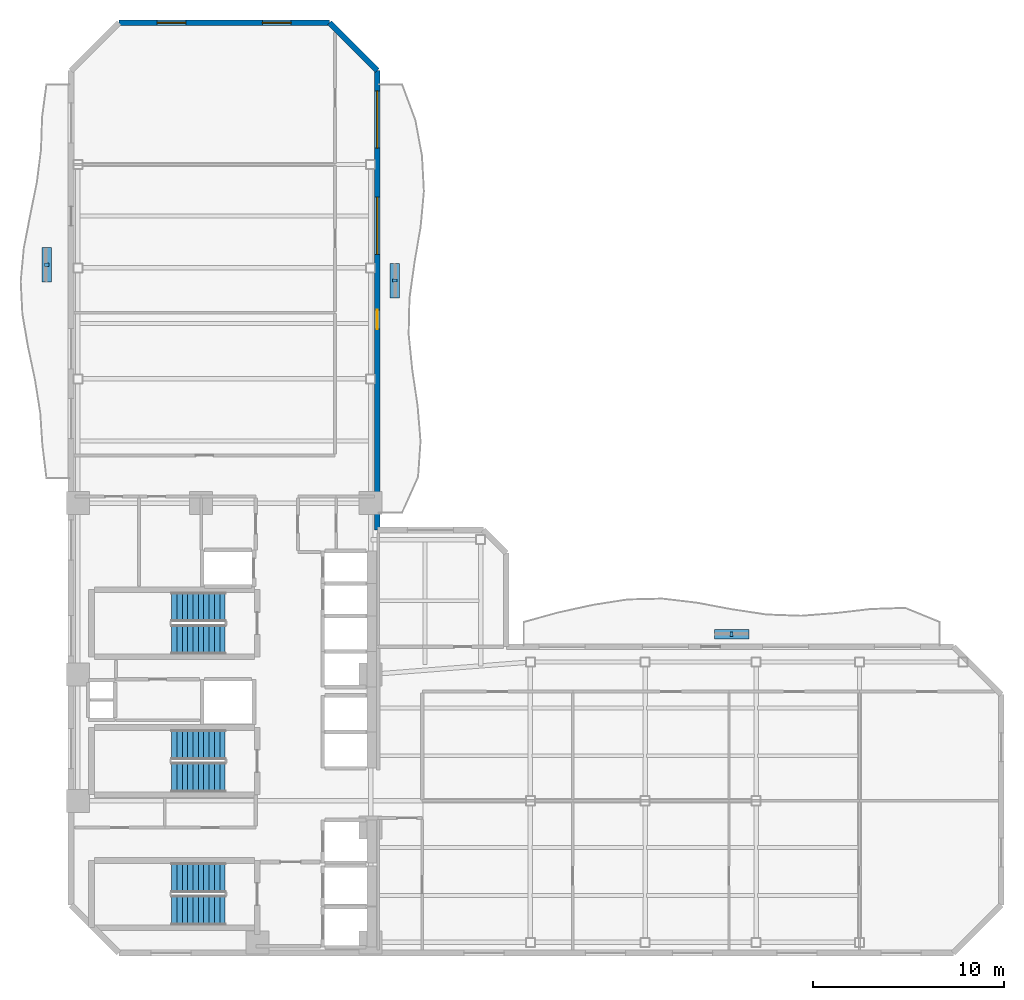
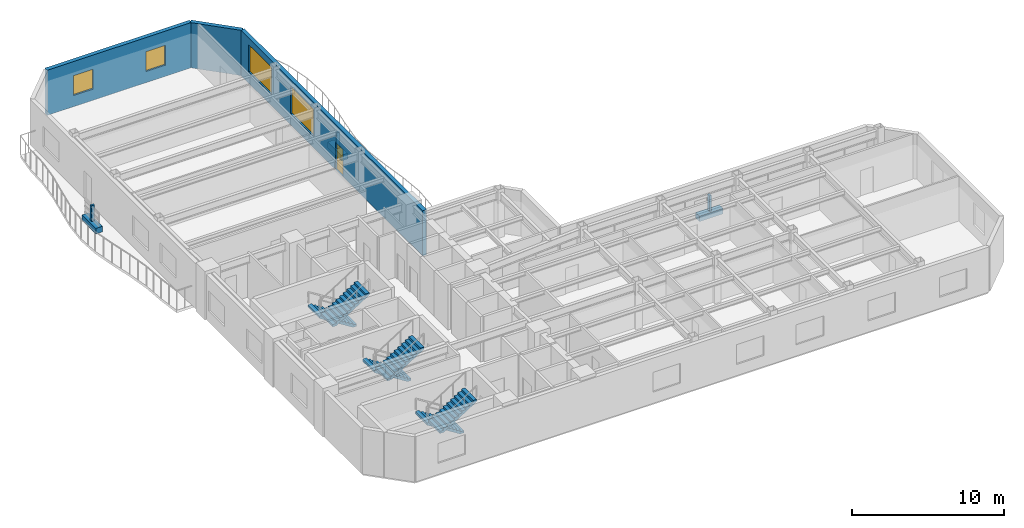
# One storey, part 6 of 9: 6 discrete accessories, 6 stair flights, 4 windows, 3 walls, 1 door, 5 openings, 3 elements without a shape of their own.
"""IFC4 building model written with IfcOpenShell, lengths in metres."""

from ifc_helpers import new_model, si_unit, direction, frame, frame_2d, origin, origin_2d, place, context, subcontext, project, spatial, polyline, rectangle, outline, extrude, material, layer, layer_set, type_object, element, fill, aggregate, save


model = new_model("IFC4")

# Units and contexts
model_context = context("Model", 3, precision=1e-05, world=origin(), true_north=direction((0.0, 1.0)))
body_context = subcontext(model_context, "Body", "Model", "MODEL_VIEW")
ifc_project = project(units=[si_unit("LENGTHUNIT", "METRE"), si_unit("AREAUNIT", "SQUARE_METRE"), si_unit("VOLUMEUNIT", "CUBIC_METRE"), si_unit("PLANEANGLEUNIT", "RADIAN"), si_unit("MASSUNIT", "GRAM", prefix="KILO")], contexts=[model_context])

# Site, building, storey
site_placement = place(None, origin())
site = spatial("IfcSite", under=ifc_project, at=site_placement, CompositionType="ELEMENT")
building_placement = place(site_placement, origin())
building = spatial("IfcBuilding", under=site, at=building_placement, Name="Mawjaban Terraces University", CompositionType="ELEMENT")
storey_placement = place(building_placement, frame((0.0, 0.0, 161.89990234375)))
storey = spatial("IfcBuildingStorey", under=building, at=storey_placement, Name="L39", CompositionType="ELEMENT", Elevation=161.89990234375)

# Wall, openings, door, windows
ifc_material_1 = material(Name="Insulated terracotta rainscreen on concrete backup C40/50", Category="masonry")
ifc_layer = layer(ifc_material_1, 0.300048828125)
ifc_layer_set = layer_set([ifc_layer], Name="Insulated terracotta rainscreen on concrete backup C40/50")
wall_type = type_object("IfcWallType", Name="ExtTerracottaWall_300", PredefinedType="SOLIDWALL", material=ifc_layer_set)
wall_1_placement = place(storey_placement, frame((38.0, 22.10009765625, 0.0), z_axis=(0.0, 0.0, 1.0), x_axis=(0.0, 1.0, 0.0)))
wall_1 = element("IfcWall", 1, at=wall_1_placement, inside=storey, type_object=wall_type, Name="L39 Exterior Terracotta Wall 9", PredefinedType="SOLIDWALL", context=body_context, shape_type="SweptSolid", body=[
    extrude(rectangle(XDim=24.0, YDim=0.300048828125, at=frame_2d((12.0, 0.0))), origin(), (0.0, 0.0, 1.0), 3.64013671875),
])
opening_1_placement = place(wall_1_placement, frame((10.5, 0.0, 0.0)))
opening_1 = element("IfcOpeningElement", 2, at=opening_1_placement, cuts=wall_1, Name="Opening BD-100", PredefinedType="OPENING", context=body_context, shape_type="SweptSolid", body=[
    extrude(rectangle(XDim=1.0, YDim=2.199951171875, at=frame_2d((0.5, 1.10009765625))), frame((0.0, 0.159912109375, 0.0), z_axis=(0.0, -1.0, 0.0), x_axis=(1.0, 0.0, 0.0)), (0.0, 0.0, 1.0), 0.320068359375),
])
opening_2_placement = place(wall_1_placement, frame((14.39990234375, 0.0, 0.89990234375)))
opening_2 = element("IfcOpeningElement", 3, at=opening_2_placement, cuts=wall_1, Name="Opening W-12", PredefinedType="OPENING", context=body_context, shape_type="SweptSolid", body=[
    extrude(rectangle(XDim=3.0, YDim=2.199951171875, at=frame_2d((1.5, 1.10009765625))), frame((0.0, 0.159912109375, 0.0), z_axis=(0.0, -1.0, 0.0), x_axis=(1.0, 0.0, 0.0)), (0.0, 0.0, 1.0), 0.320068359375),
])
opening_3_placement = place(wall_1_placement, frame((19.949951171875, 0.0, 0.89990234375)))
opening_3 = element("IfcOpeningElement", 4, at=opening_3_placement, cuts=wall_1, Name="Opening W-12", PredefinedType="OPENING", context=body_context, shape_type="SweptSolid", body=[
    extrude(rectangle(XDim=3.0, YDim=2.199951171875, at=frame_2d((1.5, 1.10009765625))), frame((0.0, 0.159912109375, 0.0), z_axis=(0.0, -1.0, 0.0), x_axis=(1.0, 0.0, 0.0)), (0.0, 0.0, 1.0), 0.320068359375),
])
ifc_material_2 = material(Name="Thermally broken anodised aluminium and laminated safety glass", Category="aluminium")
door_type = type_object("IfcDoorType", Name="BalconyGlazedDoor_1000x2200", OperationType="NOTDEFINED", PredefinedType="DOOR", material=ifc_material_2)
door_placement = place(opening_1_placement, origin())
door = element("IfcDoor", 5, at=door_placement, inside=storey, type_object=door_type, Name="L39 Balcony Access Door inner_east", OperationType="SINGLE_SWING_RIGHT", OverallHeight=2.199951171875, OverallWidth=1.0, PredefinedType="DOOR", context=body_context, shape_type="SweptSolid", body=[
    extrude(rectangle(XDim=1.0, YDim=2.199951171875, at=frame_2d((0.5, 1.10009765625))), frame((0.0, 0.02490234375, 0.0), z_axis=(0.0, -1.0, 0.0), x_axis=(1.0, 0.0, 0.0)), (0.0, 0.0, 1.0), 0.050048828125),
])
fill(opening_1, door)
ifc_material_3 = material(Name="Low-E solar-control double glazing in thermally broken aluminium frame", Category="aluminium")
window_type_1 = type_object("IfcWindowType", Name="Win_3000x2200", PartitioningType="SINGLE_PANEL", PredefinedType="WINDOW", material=ifc_material_3)
window_1_placement = place(opening_2_placement, origin())
window_1 = element("IfcWindow", 6, at=window_1_placement, inside=storey, type_object=window_type_1, Name="L39 Facade Window 9.3", OverallHeight=2.199951171875, OverallWidth=3.0, PartitioningType="SINGLE_PANEL", PredefinedType="WINDOW", context=body_context, shape_type="SweptSolid", body=[
    extrude(rectangle(XDim=3.0, YDim=2.199951171875, at=frame_2d((1.5, 1.10009765625))), frame((0.0, 0.030029296875, 0.0), z_axis=(0.0, -1.0, 0.0), x_axis=(1.0, 0.0, 0.0)), (0.0, 0.0, 1.0), 0.06005859375),
])
fill(opening_2, window_1)
window_2_placement = place(opening_3_placement, origin())
window_2 = element("IfcWindow", 7, at=window_2_placement, inside=storey, type_object=window_type_1, Name="L39 Facade Window 9.4", OverallHeight=2.199951171875, OverallWidth=3.0, PartitioningType="SINGLE_PANEL", PredefinedType="WINDOW", context=body_context, shape_type="SweptSolid", body=[
    extrude(rectangle(XDim=3.0, YDim=2.199951171875, at=frame_2d((1.5, 1.10009765625))), frame((0.0, 0.030029296875, 0.0), z_axis=(0.0, -1.0, 0.0), x_axis=(1.0, 0.0, 0.0)), (0.0, 0.0, 1.0), 0.06005859375),
])
fill(opening_3, window_2)

# Wall
wall_2_placement = place(storey_placement, frame((38.0, 46.10009765625, 0.0), z_axis=(0.0, 0.0, 1.0), x_axis=(-0.707106781187, 0.707106781187, 0.0)))
element("IfcWall", 8, at=wall_2_placement, inside=storey, type_object=wall_type, Name="L39 Exterior Terracotta Wall 10", PredefinedType="SOLIDWALL", context=body_context, shape_type="SweptSolid", body=[
    extrude(rectangle(XDim=3.53564453125, YDim=0.300048828125, at=frame_2d((1.767822265625, 0.0))), origin(), (0.0, 0.0, 1.0), 3.64013671875),
])

# Wall, openings, windows
wall_3_placement = place(storey_placement, frame((35.5, 48.60009765625, 0.0), z_axis=(0.0, 0.0, 1.0), x_axis=(-1.0, 0.0, 0.0)))
wall_3 = element("IfcWall", 9, at=wall_3_placement, inside=storey, type_object=wall_type, Name="L39 Exterior Terracotta Wall 11", PredefinedType="SOLIDWALL", context=body_context, shape_type="SweptSolid", body=[
    extrude(rectangle(XDim=11.0, YDim=0.300048828125, at=frame_2d((5.5, 0.0))), origin(), (0.0, 0.0, 1.0), 3.64013671875),
])
opening_4_placement = place(wall_3_placement, frame((2.0, 0.0, 0.89990234375)))
opening_4 = element("IfcOpeningElement", 10, at=opening_4_placement, cuts=wall_3, Name="Opening W-02", PredefinedType="OPENING", context=body_context, shape_type="SweptSolid", body=[
    extrude(rectangle(XDim=1.5, YDim=1.60009765625, at=frame_2d((0.75, 0.800048828125))), frame((0.0, 0.159912109375, 0.0), z_axis=(0.0, -1.0, 0.0), x_axis=(1.0, 0.0, 0.0)), (0.0, 0.0, 1.0), 0.320068359375),
])
opening_5_placement = place(wall_3_placement, frame((7.5, 0.0, 0.89990234375)))
opening_5 = element("IfcOpeningElement", 11, at=opening_5_placement, cuts=wall_3, Name="Opening W-02", PredefinedType="OPENING", context=body_context, shape_type="SweptSolid", body=[
    extrude(rectangle(XDim=1.5, YDim=1.60009765625, at=frame_2d((0.75, 0.800048828125))), frame((0.0, 0.159912109375, 0.0), z_axis=(0.0, -1.0, 0.0), x_axis=(1.0, 0.0, 0.0)), (0.0, 0.0, 1.0), 0.320068359375),
])
window_type_2 = type_object("IfcWindowType", Name="Win_1500x1600", PartitioningType="SINGLE_PANEL", PredefinedType="WINDOW", material=ifc_material_3)
window_3_placement = place(opening_4_placement, origin())
window_3 = element("IfcWindow", 12, at=window_3_placement, inside=storey, type_object=window_type_2, Name="L39 Facade Window 11.1", OverallHeight=1.60009765625, OverallWidth=1.5, PartitioningType="SINGLE_PANEL", PredefinedType="WINDOW", context=body_context, shape_type="SweptSolid", body=[
    extrude(rectangle(XDim=1.5, YDim=1.60009765625, at=frame_2d((0.75, 0.800048828125))), frame((0.0, 0.030029296875, 0.0), z_axis=(0.0, -1.0, 0.0), x_axis=(1.0, 0.0, 0.0)), (0.0, 0.0, 1.0), 0.06005859375),
])
fill(opening_4, window_3)
window_4_placement = place(opening_5_placement, origin())
window_4 = element("IfcWindow", 13, at=window_4_placement, inside=storey, type_object=window_type_2, Name="L39 Facade Window 11.2", OverallHeight=1.60009765625, OverallWidth=1.5, PartitioningType="SINGLE_PANEL", PredefinedType="WINDOW", context=body_context, shape_type="SweptSolid", body=[
    extrude(rectangle(XDim=1.5, YDim=1.60009765625, at=frame_2d((0.75, 0.800048828125))), frame((0.0, 0.030029296875, 0.0), z_axis=(0.0, -1.0, 0.0), x_axis=(1.0, 0.0, 0.0)), (0.0, 0.0, 1.0), 0.06005859375),
])
fill(opening_5, window_4)

# Stair, stair flights
ifc_material_4 = material(Name="Concrete C40/50", Category="concrete")
stair_type = type_object("IfcStairType", Name="Stair_Core1550_H39", PredefinedType="HALF_TURN_STAIR", material=ifc_material_4)
stair_1_placement = place(storey_placement, origin())
stair_1 = element("IfcStair", 14, at=stair_1_placement, inside=storey, type_object=stair_type, Name="L39 Core Exit Stair 1", PredefinedType="HALF_TURN_STAIR")
stair_flight_type = type_object("IfcStairFlightType", Name="Flight_Core1550_H39", PredefinedType="STRAIGHT", material=ifc_material_4)
stair_flight_1_placement = place(storey_placement, frame((30.050048828125, 3.925048828125, 0.0), z_axis=(0.0, 0.0, 1.0), x_axis=(-1.0, 0.0, 0.0)))
stair_flight_1 = element("IfcStairFlight", 15, at=stair_flight_1_placement, type_object=stair_flight_type, Name="ST-1 flight 1", NumberOfRisers=11, NumberOfTreads=10, PredefinedType="STRAIGHT", RiserHeight=0.177272727, TreadLength=0.28, context=body_context, shape_type="SweptSolid", body=[
    extrude(outline(polyline([(0.0, 0.0), (0.0, 0.17724609375), (0.280029296875, 0.17724609375), (0.280029296875, 0.3544921875), (0.56005859375, 0.3544921875), (0.56005859375, 0.53173828125), (0.840087890625, 0.53173828125), (0.840087890625, 0.708984375), (1.1201171875, 0.708984375), (1.1201171875, 0.886474609375), (1.39990234375, 0.886474609375), (1.39990234375, 1.063720703125), (1.679931640625, 1.063720703125), (1.679931640625, 1.240966796875), (1.9599609375, 1.240966796875), (1.9599609375, 1.418212890625), (2.239990234375, 1.418212890625), (2.239990234375, 1.595458984375), (2.52001953125, 1.595458984375), (2.52001953125, 1.772705078125), (2.800048828125, 1.772705078125), (2.800048828125, 1.949951171875), (2.800048828125, 1.59521484375), (0.2802734375, 0.0), (0.0, 0.0)])), frame((0.0, 0.77490234375, 0.0), z_axis=(0.0, -1.0, 0.0), x_axis=(1.0, 0.0, 0.0)), (0.0, 0.0, 1.0), 1.550048828125),
])
stair_flight_2_placement = place(storey_placement, frame((27.25, 2.22509765625, 1.9501953125), z_axis=(0.0, 0.0, 1.0), x_axis=(1.0, 0.0, 0.0)))
stair_flight_2 = element("IfcStairFlight", 16, at=stair_flight_2_placement, type_object=stair_flight_type, Name="ST-1 flight 2", NumberOfRisers=11, NumberOfTreads=10, PredefinedType="STRAIGHT", RiserHeight=0.177272727, TreadLength=0.28, context=body_context, shape_type="SweptSolid", body=[
    extrude(outline(polyline([(0.0, 0.0), (0.0, 0.17724609375), (0.280029296875, 0.17724609375), (0.280029296875, 0.3544921875), (0.56005859375, 0.3544921875), (0.56005859375, 0.53173828125), (0.840087890625, 0.53173828125), (0.840087890625, 0.708984375), (1.1201171875, 0.708984375), (1.1201171875, 0.886474609375), (1.39990234375, 0.886474609375), (1.39990234375, 1.063720703125), (1.679931640625, 1.063720703125), (1.679931640625, 1.240966796875), (1.9599609375, 1.240966796875), (1.9599609375, 1.418212890625), (2.239990234375, 1.418212890625), (2.239990234375, 1.595458984375), (2.52001953125, 1.595458984375), (2.52001953125, 1.772705078125), (2.800048828125, 1.772705078125), (2.800048828125, 1.949951171875), (2.800048828125, 1.59521484375), (0.2802734375, 0.0), (0.0, 0.0)])), frame((0.0, 0.77490234375, 0.0), z_axis=(0.0, -1.0, 0.0), x_axis=(1.0, 0.0, 0.0)), (0.0, 0.0, 1.0), 1.550048828125),
])
aggregate(stair_1, [stair_flight_1, stair_flight_2])

stair_2_placement = place(storey_placement, origin())
stair_2 = element("IfcStair", 17, at=stair_2_placement, inside=storey, type_object=stair_type, Name="L39 Core Exit Stair 2", PredefinedType="HALF_TURN_STAIR")
stair_flight_3_placement = place(storey_placement, frame((30.050048828125, 18.074951171875, 0.0), z_axis=(0.0, 0.0, 1.0), x_axis=(-1.0, 0.0, 0.0)))
stair_flight_3 = element("IfcStairFlight", 18, at=stair_flight_3_placement, type_object=stair_flight_type, Name="ST-2 flight 1", NumberOfRisers=11, NumberOfTreads=10, PredefinedType="STRAIGHT", RiserHeight=0.177272727, TreadLength=0.28, context=body_context, shape_type="SweptSolid", body=[
    extrude(outline(polyline([(0.0, 0.0), (0.0, 0.17724609375), (0.280029296875, 0.17724609375), (0.280029296875, 0.3544921875), (0.56005859375, 0.3544921875), (0.56005859375, 0.53173828125), (0.840087890625, 0.53173828125), (0.840087890625, 0.708984375), (1.1201171875, 0.708984375), (1.1201171875, 0.886474609375), (1.39990234375, 0.886474609375), (1.39990234375, 1.063720703125), (1.679931640625, 1.063720703125), (1.679931640625, 1.240966796875), (1.9599609375, 1.240966796875), (1.9599609375, 1.418212890625), (2.239990234375, 1.418212890625), (2.239990234375, 1.595458984375), (2.52001953125, 1.595458984375), (2.52001953125, 1.772705078125), (2.800048828125, 1.772705078125), (2.800048828125, 1.949951171875), (2.800048828125, 1.59521484375), (0.2802734375, 0.0), (0.0, 0.0)])), frame((0.0, 0.77490234375, 0.0), z_axis=(0.0, -1.0, 0.0), x_axis=(1.0, 0.0, 0.0)), (0.0, 0.0, 1.0), 1.550048828125),
])
stair_flight_4_placement = place(storey_placement, frame((27.25, 16.375, 1.9501953125), z_axis=(0.0, 0.0, 1.0), x_axis=(1.0, 0.0, 0.0)))
stair_flight_4 = element("IfcStairFlight", 19, at=stair_flight_4_placement, type_object=stair_flight_type, Name="ST-2 flight 2", NumberOfRisers=11, NumberOfTreads=10, PredefinedType="STRAIGHT", RiserHeight=0.177272727, TreadLength=0.28, context=body_context, shape_type="SweptSolid", body=[
    extrude(outline(polyline([(0.0, 0.0), (0.0, 0.17724609375), (0.280029296875, 0.17724609375), (0.280029296875, 0.3544921875), (0.56005859375, 0.3544921875), (0.56005859375, 0.53173828125), (0.840087890625, 0.53173828125), (0.840087890625, 0.708984375), (1.1201171875, 0.708984375), (1.1201171875, 0.886474609375), (1.39990234375, 0.886474609375), (1.39990234375, 1.063720703125), (1.679931640625, 1.063720703125), (1.679931640625, 1.240966796875), (1.9599609375, 1.240966796875), (1.9599609375, 1.418212890625), (2.239990234375, 1.418212890625), (2.239990234375, 1.595458984375), (2.52001953125, 1.595458984375), (2.52001953125, 1.772705078125), (2.800048828125, 1.772705078125), (2.800048828125, 1.949951171875), (2.800048828125, 1.59521484375), (0.2802734375, 0.0), (0.0, 0.0)])), frame((0.0, 0.77490234375, 0.0), z_axis=(0.0, -1.0, 0.0), x_axis=(1.0, 0.0, 0.0)), (0.0, 0.0, 1.0), 1.550048828125),
])
aggregate(stair_2, [stair_flight_3, stair_flight_4])

stair_3_placement = place(storey_placement, origin())
stair_3 = element("IfcStair", 20, at=stair_3_placement, inside=storey, type_object=stair_type, Name="L39 Core Exit Stair 3", PredefinedType="HALF_TURN_STAIR")
stair_flight_5_placement = place(storey_placement, frame((30.050048828125, 10.875, 0.0), z_axis=(0.0, 0.0, 1.0), x_axis=(-1.0, 0.0, 0.0)))
stair_flight_5 = element("IfcStairFlight", 21, at=stair_flight_5_placement, type_object=stair_flight_type, Name="ST-3 flight 1", NumberOfRisers=11, NumberOfTreads=10, PredefinedType="STRAIGHT", RiserHeight=0.177272727, TreadLength=0.28, context=body_context, shape_type="SweptSolid", body=[
    extrude(outline(polyline([(0.0, 0.0), (0.0, 0.17724609375), (0.280029296875, 0.17724609375), (0.280029296875, 0.3544921875), (0.56005859375, 0.3544921875), (0.56005859375, 0.53173828125), (0.840087890625, 0.53173828125), (0.840087890625, 0.708984375), (1.1201171875, 0.708984375), (1.1201171875, 0.886474609375), (1.39990234375, 0.886474609375), (1.39990234375, 1.063720703125), (1.679931640625, 1.063720703125), (1.679931640625, 1.240966796875), (1.9599609375, 1.240966796875), (1.9599609375, 1.418212890625), (2.239990234375, 1.418212890625), (2.239990234375, 1.595458984375), (2.52001953125, 1.595458984375), (2.52001953125, 1.772705078125), (2.800048828125, 1.772705078125), (2.800048828125, 1.949951171875), (2.800048828125, 1.59521484375), (0.2802734375, 0.0), (0.0, 0.0)])), frame((0.0, 0.77490234375, 0.0), z_axis=(0.0, -1.0, 0.0), x_axis=(1.0, 0.0, 0.0)), (0.0, 0.0, 1.0), 1.550048828125),
])
stair_flight_6_placement = place(storey_placement, frame((27.25, 9.175048828125, 1.9501953125), z_axis=(0.0, 0.0, 1.0), x_axis=(1.0, 0.0, 0.0)))
stair_flight_6 = element("IfcStairFlight", 22, at=stair_flight_6_placement, type_object=stair_flight_type, Name="ST-3 flight 2", NumberOfRisers=11, NumberOfTreads=10, PredefinedType="STRAIGHT", RiserHeight=0.177272727, TreadLength=0.28, context=body_context, shape_type="SweptSolid", body=[
    extrude(outline(polyline([(0.0, 0.0), (0.0, 0.17724609375), (0.280029296875, 0.17724609375), (0.280029296875, 0.3544921875), (0.56005859375, 0.3544921875), (0.56005859375, 0.53173828125), (0.840087890625, 0.53173828125), (0.840087890625, 0.708984375), (1.1201171875, 0.708984375), (1.1201171875, 0.886474609375), (1.39990234375, 0.886474609375), (1.39990234375, 1.063720703125), (1.679931640625, 1.063720703125), (1.679931640625, 1.240966796875), (1.9599609375, 1.240966796875), (1.9599609375, 1.418212890625), (2.239990234375, 1.418212890625), (2.239990234375, 1.595458984375), (2.52001953125, 1.595458984375), (2.52001953125, 1.772705078125), (2.800048828125, 1.772705078125), (2.800048828125, 1.949951171875), (2.800048828125, 1.59521484375), (0.2802734375, 0.0), (0.0, 0.0)])), frame((0.0, 0.77490234375, 0.0), z_axis=(0.0, -1.0, 0.0), x_axis=(1.0, 0.0, 0.0)), (0.0, 0.0, 1.0), 1.550048828125),
])
aggregate(stair_3, [stair_flight_5, stair_flight_6])

# Discrete accessories
ifc_material_5 = material(Name="Stainless steel 316L", Category="steel")
discrete_accessory_type_1 = type_object("IfcDiscreteAccessoryType", Name="FacadeScreenBracket_Steel", PredefinedType="BRACKET", material=ifc_material_5)
for number, where, z_axis, x_axis, name in (
    (23, (20.721923828125, 35.958984375, 0.419921875), (0.0, 0.0, 1.0), (0.0, 1.0, 0.0), "L39 Balcony Screen Support Bracket west"),
    (24, (56.52001953125, 16.64501953125, 0.419921875), (0.0, 0.0, 1.0), (1.0, 0.0, 0.0), "L39 Balcony Screen Support Bracket inner_north"),
    (25, (38.906982421875, 35.133056640625, 0.419921875), (0.0, 0.0, 1.0), (0.0, 1.0, 0.0), "L39 Balcony Screen Support Bracket inner_east"),
):
    element("IfcDiscreteAccessory", number, at=place(storey_placement, frame(where, z_axis=z_axis, x_axis=x_axis)), inside=storey, type_object=discrete_accessory_type_1, Name=name, PredefinedType="BRACKET", context=body_context, shape_type="SweptSolid", body=[
        extrude(rectangle(XDim=0.159912109375, YDim=0.239990234375, at=origin_2d()), origin(), (0.0, 0.0, 1.0), 1.300048828125),
    ])
ifc_material_6 = material(Name="Precast architectural terracotta planter with engineered planting soil", Category="masonry")
discrete_accessory_type_2 = type_object("IfcDiscreteAccessoryType", Name="IrrigatedPlanterTrough_450", PredefinedType="USERDEFINED", material=ifc_material_6)
for number, where, z_axis, x_axis, name in (
    (26, (20.721923828125, 35.958984375, -0.0048828125), (0.0, 0.0, 1.0), (0.0, 1.0, 0.0), "L39 Balcony Irrigated Planter west"),
    (27, (56.52001953125, 16.64501953125, -0.0048828125), (0.0, 0.0, 1.0), (1.0, 0.0, 0.0), "L39 Balcony Irrigated Planter inner_north"),
    (28, (38.906982421875, 35.133056640625, -0.0048828125), (0.0, 0.0, 1.0), (0.0, 1.0, 0.0), "L39 Balcony Irrigated Planter inner_east"),
):
    element("IfcDiscreteAccessory", number, at=place(storey_placement, frame(where, z_axis=z_axis, x_axis=x_axis)), inside=storey, type_object=discrete_accessory_type_2, Name=name, ObjectType="PLANTER", PredefinedType="USERDEFINED", context=body_context, shape_type="SweptSolid", body=[
        extrude(rectangle(XDim=1.800048828125, YDim=0.5, at=origin_2d()), origin(), (0.0, 0.0, 1.0), 0.449951171875),
    ])

save(model, "model.ifc")
